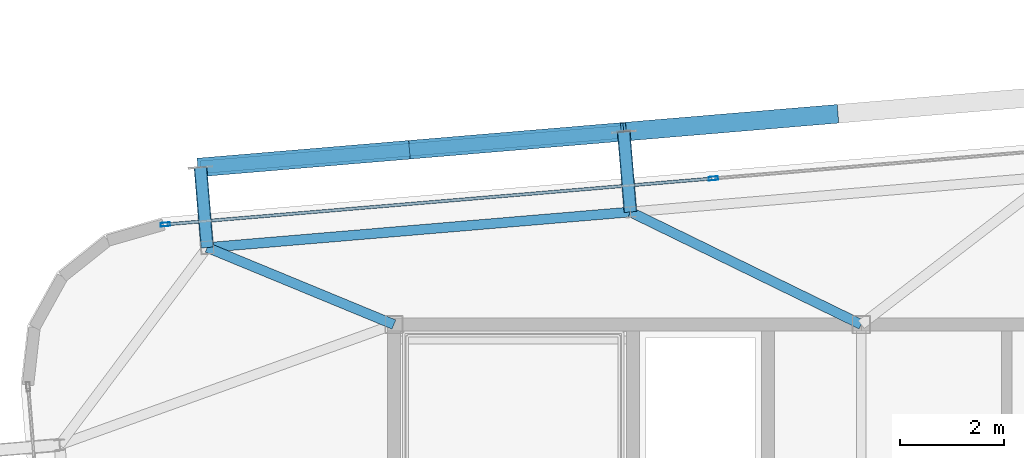
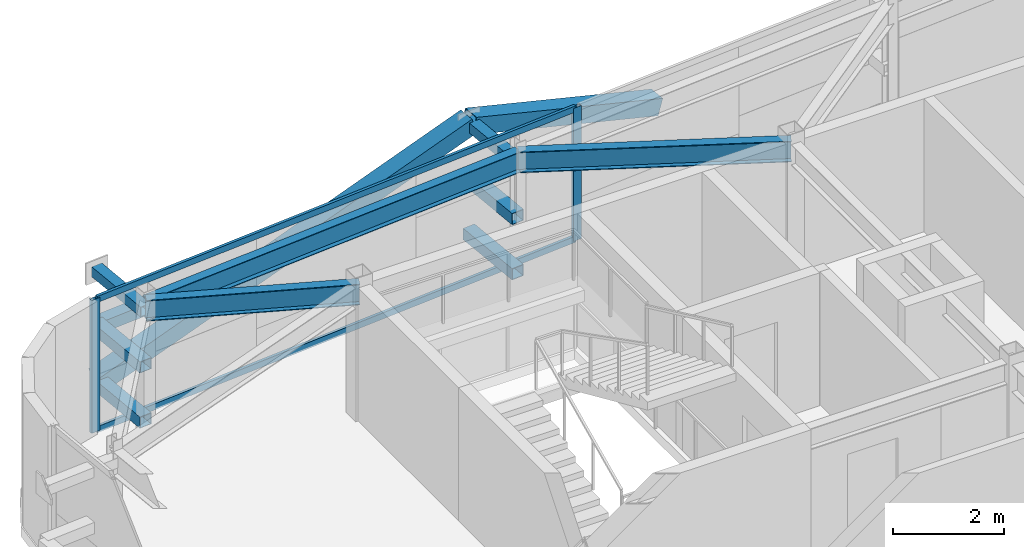
# One storey, part 21 of 37: 14 members, 3 beams, 1 element without a shape of its own.
"""IFC4 building model written with IfcOpenShell, lengths in metres."""

from ifc_helpers import new_model, si_unit, direction, frame, origin, origin_2d, place, context, subcontext, project, spatial, hollow_rectangle, i_section, extrude, source, transform, mapped, material, layer, layer_set, material_profile, profile_set, type_object, element, aggregate, save


model = new_model("IFC4")

# Units and contexts
model_context = context("Model", 3, precision=1e-05, world=origin(), true_north=direction((0.0, 1.0)))
body_context = subcontext(model_context, "Body", "Model", "MODEL_VIEW")
ifc_project = project(units=[si_unit("LENGTHUNIT", "METRE"), si_unit("AREAUNIT", "SQUARE_METRE"), si_unit("VOLUMEUNIT", "CUBIC_METRE"), si_unit("PLANEANGLEUNIT", "RADIAN"), si_unit("MASSUNIT", "GRAM", prefix="KILO")], contexts=[model_context])

# Site, building, storey
site_placement = place(None, origin())
site = spatial("IfcSite", under=ifc_project, at=site_placement, CompositionType="ELEMENT")
building_placement = place(site_placement, origin())
building = spatial("IfcBuilding", under=site, at=building_placement, Name="Taldren Reach Tower", CompositionType="ELEMENT")
storey_placement = place(building_placement, frame((0.0, 0.0, 172.550048828125)))
storey = spatial("IfcBuildingStorey", under=building, at=storey_placement, Name="L52", CompositionType="ELEMENT", Elevation=172.550048828125)

# Members
ifc_material_1 = material(Name="Steel Gr 350 (C350L0)", Category="steel")
ifc_material_profile_1 = material_profile(ifc_material_1, hollow_rectangle(XDim=0.25, YDim=0.25, WallThickness=0.010009765625, at=origin_2d()), Name="250x250x10.0SHS")
ifc_profile_set_1 = profile_set([ifc_material_profile_1], Name="Steel Gr 350 (C350L0)")
member_type_1 = type_object("IfcMemberType", Name="MB-POST250", PredefinedType="POST", material=ifc_profile_set_1)
shared_shape_1 = source(origin(), body_context, "Body", "SweptSolid", [
    extrude(hollow_rectangle(XDim=0.25, YDim=0.25, WallThickness=0.010009765625, at=origin_2d()), origin(), (0.0, 0.0, 1.0), 1.5498046875),
])
for number, where, z_axis, x_axis, name in (
    (1, (15.40380859375, 33.483642578125, 0.219970703125), (-0.083645141657, 0.996495604746, 0.0), (-0.996495604746, -0.083645141657, 0.0), "Exoskeleton base diaphragm tie strut B4-N1 L52"),
    (2, (15.40380859375, 33.483642578125, 1.43505859375), (-0.083645141657, 0.996495604746, 0.0), (-0.996495604746, -0.083645141657, 0.0), "Exoskeleton mid-tier diaphragm tie B4-N1 L52"),
):
    element("IfcMember", number, at=place(storey_placement, frame(where, z_axis=z_axis, x_axis=x_axis)), inside=storey, type_object=member_type_1, Name=name, PredefinedType="POST", context=body_context, shape_type="MappedRepresentation", body=[
        mapped(shared_shape_1, transform((0.0, 0.0, 0.0), scale=1.0)),
    ])
shared_shape_2 = source(origin(), body_context, "Body", "SweptSolid", [
    extrude(hollow_rectangle(XDim=0.25, YDim=0.25, WallThickness=0.010009765625, at=origin_2d()), origin(), (0.0, 0.0, 1.0), 1.550048828125),
])
for number, where, z_axis, x_axis, name in (
    (3, (23.55517578125, 34.16796875, 0.219970703125), (-0.083788408178, 0.996483568683, 0.0), (-0.996483568683, -0.083788408178, 0.0), "Exoskeleton base diaphragm tie strut B4-N2 L52"),
    (4, (23.55517578125, 34.16796875, 1.43505859375), (-0.083788408178, 0.996483568683, 0.0), (-0.996483568683, -0.083788408178, 0.0), "Exoskeleton mid-tier diaphragm tie B4-N2 L52"),
):
    element("IfcMember", number, at=place(storey_placement, frame(where, z_axis=z_axis, x_axis=x_axis)), inside=storey, type_object=member_type_1, Name=name, PredefinedType="POST", context=body_context, shape_type="MappedRepresentation", body=[
        mapped(shared_shape_2, transform((0.0, 0.0, 0.0), scale=1.0)),
    ])

# Beams
ifc_material_2 = material(Name="Steel Gr 350 (350PLUS)", Category="steel")
ifc_material_profile_2 = material_profile(ifc_material_2, i_section(OverallWidth=0.18994140625, OverallDepth=0.4541015625, WebThickness=0.008544921875, FlangeThickness=0.0126953125, at=origin_2d()), Name="460UB67.1")
ifc_profile_set_2 = profile_set([ifc_material_profile_2], Name="Steel Gr 350 (350PLUS)")
beam_type_1 = type_object("IfcBeamType", Name="SP-UB460B", PredefinedType="SPANDREL", material=ifc_profile_set_2)
shared_shape_3 = source(origin(), body_context, "Body", "SweptSolid", [
    extrude(i_section(OverallWidth=0.18994140625, OverallDepth=0.4541015625, WebThickness=0.008544921875, FlangeThickness=0.0126953125, at=origin_2d()), origin(), (0.0, 0.0, 1.0), 8.179931640625),
])
beam_1_placement = place(storey_placement, frame((23.55517578125, 34.16796875, 2.702880859375), z_axis=(-0.996494523218, -0.083658025296, 0.0), x_axis=(0.083658025296, -0.996494523218, 0.0)))
element("IfcBeam", 5, at=beam_1_placement, inside=storey, type_object=beam_type_1, Name="Perimeter spandrel B4 N2-N1 L52", PredefinedType="SPANDREL", context=body_context, shape_type="MappedRepresentation", body=[
    mapped(shared_shape_3, transform((0.0, 0.0, 0.0), scale=1.0)),
])
ifc_material_profile_3 = material_profile(ifc_material_2, i_section(OverallWidth=0.19091796875, OverallDepth=0.4599609375, WebThickness=0.010009765625, FlangeThickness=0.01611328125, at=origin_2d()), Name="460UB82.1")
ifc_profile_set_3 = profile_set([ifc_material_profile_3], Name="Steel Gr 350 (350PLUS)")
beam_type_2 = type_object("IfcBeamType", Name="BM-UB460A", PredefinedType="BEAM", material=ifc_profile_set_3)
shared_shape_4 = source(origin(), body_context, "Body", "SweptSolid", [
    extrude(i_section(OverallWidth=0.19091796875, OverallDepth=0.4599609375, WebThickness=0.010009765625, FlangeThickness=0.01611328125, at=origin_2d()), origin(), (0.0, 0.0, 1.0), 4.9453125),
])
beam_2_placement = place(storey_placement, frame((28.0, 32.0, 2.699951171875), z_axis=(-0.898787423235, 0.438384725823, 0.0), x_axis=(-0.438384725823, -0.898787423235, 0.0)))
element("IfcBeam", 6, at=beam_2_placement, inside=storey, type_object=beam_type_2, Name="Primary floor girder B4-N2 L52", PredefinedType="BEAM", context=body_context, shape_type="MappedRepresentation", body=[
    mapped(shared_shape_4, transform((0.0, 0.0, 0.0), scale=1.0)),
])
shared_shape_5 = source(origin(), body_context, "Body", "SweptSolid", [
    extrude(i_section(OverallWidth=0.19091796875, OverallDepth=0.4599609375, WebThickness=0.010009765625, FlangeThickness=0.01611328125, at=origin_2d()), origin(), (0.0, 0.0, 1.0), 3.89013671875),
])
beam_3_placement = place(storey_placement, frame((19.0, 32.0, 2.699951171875), z_axis=(-0.924419242179, 0.381377850287, 0.0), x_axis=(-0.381377850287, -0.924419242179, 0.0)))
element("IfcBeam", 7, at=beam_3_placement, inside=storey, type_object=beam_type_2, Name="Primary floor girder B4-N1 L52", PredefinedType="BEAM", context=body_context, shape_type="MappedRepresentation", body=[
    mapped(shared_shape_5, transform((0.0, 0.0, 0.0), scale=1.0)),
])

# Members
ifc_material_3 = material(Name="Steel Gr 450 (C450L0)", Category="steel")
ifc_material_profile_4 = material_profile(ifc_material_3, hollow_rectangle(XDim=0.219970703125, YDim=0.219970703125, WallThickness=0.00830078125, at=origin_2d()), Name="220x220x8.2SHS")
ifc_profile_set_4 = profile_set([ifc_material_profile_4], Name="Steel Gr 450 (C450L0)")
member_type_2 = type_object("IfcMemberType", Name="MB-TIE219", PredefinedType="STRUT", material=ifc_profile_set_4)
shared_shape_6 = source(origin(), body_context, "Body", "SweptSolid", [
    extrude(hollow_rectangle(XDim=0.219970703125, YDim=0.219970703125, WallThickness=0.00830078125, at=origin_2d()), origin(), (0.0, 0.0, 1.0), 1.5498046875),
])
member_1_placement = place(storey_placement, frame((15.40380859375, 33.483642578125, 2.64990234375), z_axis=(-0.083645141657, 0.996495604746, 0.0), x_axis=(-0.996495604746, -0.083645141657, 0.0)))
element("IfcMember", 8, at=member_1_placement, inside=storey, type_object=member_type_2, Name="Exoskeleton diaphragm tie strut B4-N1 L52", PredefinedType="STRUT", context=body_context, shape_type="MappedRepresentation", body=[
    mapped(shared_shape_6, transform((0.0, 0.0, 0.0), scale=1.0)),
])
shared_shape_7 = source(origin(), body_context, "Body", "SweptSolid", [
    extrude(hollow_rectangle(XDim=0.219970703125, YDim=0.219970703125, WallThickness=0.00830078125, at=origin_2d()), origin(), (0.0, 0.0, 1.0), 1.550048828125),
])
member_2_placement = place(storey_placement, frame((23.55517578125, 34.16796875, 2.64990234375), z_axis=(-0.083788408178, 0.996483568683, 0.0), x_axis=(-0.996483568683, -0.083788408178, 0.0)))
element("IfcMember", 9, at=member_2_placement, inside=storey, type_object=member_type_2, Name="Exoskeleton diaphragm tie strut B4-N2 L52", PredefinedType="STRUT", context=body_context, shape_type="MappedRepresentation", body=[
    mapped(shared_shape_7, transform((0.0, 0.0, 0.0), scale=1.0)),
])
shared_shape_8 = source(origin(), body_context, "Body", "SweptSolid", [
    extrude(hollow_rectangle(XDim=0.25, YDim=0.25, WallThickness=0.010009765625, at=origin_2d()), origin(), (0.0, 0.0, 1.0), 8.179931640625),
])
member_3_placement = place(storey_placement, frame((15.274169921875, 35.028076171875, 1.43505859375), z_axis=(0.99649182565, 0.08369015123, 0.0), x_axis=(-0.08369015123, 0.99649182565, 0.0)))
element("IfcMember", 10, at=member_3_placement, inside=storey, type_object=member_type_1, Name="Exoskeleton mid-height ring chord B4-N1 L52", PredefinedType="POST", context=body_context, shape_type="MappedRepresentation", body=[
    mapped(shared_shape_8, transform((0.0, 0.0, 0.0), scale=1.0)),
])
ifc_material_profile_5 = material_profile(ifc_material_3, hollow_rectangle(XDim=0.360107421875, YDim=0.360107421875, WallThickness=0.0126953125, at=origin_2d()), Name="360x360x12.7SHS")
ifc_profile_set_5 = profile_set([ifc_material_profile_5], Name="Steel Gr 450 (C450L0)")
member_type_3 = type_object("IfcMemberType", Name="MB-EXO356", PredefinedType="BRACE", material=ifc_profile_set_5)
shared_shape_9 = source(origin(), body_context, "Body", "SweptSolid", [
    extrude(hollow_rectangle(XDim=0.360107421875, YDim=0.360107421875, WallThickness=0.0126953125, at=origin_2d()), origin(), (0.0, 0.0, 1.0), 4.2666015625),
])
for number, where, z_axis, x_axis, name in (
    (11, (15.274169921875, 35.028076171875, 0.219970703125), (0.955229159097, 0.080222312271, 0.284783486572), (-0.083687662192, 0.996492034688, 0.0), "Exoskeleton Diagrid Brace B4-N1 L52"),
    (12, (27.5009765625, 36.054931640625, 1.43505859375), (-0.955244723646, -0.080223619417, 0.284730906006), (0.083687662192, -0.996492034688, 0.0), "Exoskeleton Diagrid Brace B4-N2 L52"),
):
    element("IfcMember", number, at=place(storey_placement, frame(where, z_axis=z_axis, x_axis=x_axis)), inside=storey, type_object=member_type_3, Name=name, PredefinedType="BRACE", context=body_context, shape_type="MappedRepresentation", body=[
        mapped(shared_shape_9, transform((0.0, 0.0, 0.0), scale=1.0)),
    ])
shared_shape_10 = source(origin(), body_context, "Body", "SweptSolid", [
    extrude(hollow_rectangle(XDim=0.360107421875, YDim=0.360107421875, WallThickness=0.0126953125, at=origin_2d()), origin(), (0.0, 0.0, 1.0), 4.266357421875),
])
member_4_placement = place(storey_placement, frame((19.349853515625, 35.370361328125, 1.43505859375), z_axis=(0.955239715981, 0.080228004661, 0.28474647018), x_axis=(-0.083692640416, 0.996491616593, 0.0)))
element("IfcMember", 13, at=member_4_placement, inside=storey, type_object=member_type_3, Name="Exoskeleton Diagrid Brace B4-N1 L52", PredefinedType="BRACE", context=body_context, shape_type="MappedRepresentation", body=[
    mapped(shared_shape_10, transform((0.0, 0.0, 0.0), scale=1.0)),
])

# Curtain wall, members
ifc_material_4 = material(Name="Aluminium and Low-E Glass Unitised System", Category="aluminium")
ifc_layer = layer(ifc_material_4, 0.159912109375)
ifc_layer_set = layer_set([ifc_layer], Name="Aluminium and Low-E Glass Unitised System")
curtain_wall_type = type_object("IfcCurtainWallType", Name="CW-SYS-5", PredefinedType="NOTDEFINED", material=ifc_layer_set)
curtain_wall_placement = place(storey_placement, origin())
curtain_wall = element("IfcCurtainWall", 14, at=curtain_wall_placement, inside=storey, type_object=curtain_wall_type, Name="Unitised curtain wall CW-L52-N", PredefinedType="NOTDEFINED")
ifc_material_5 = material(Name="Anodised Aluminium 6063-T6", Category="aluminium")
ifc_material_profile_6 = material_profile(ifc_material_5, hollow_rectangle(XDim=0.070068359375, YDim=0.179931640625, WallThickness=0.00390625, at=origin_2d()), Name="ALU-180x70x4RHS")
ifc_profile_set_6 = profile_set([ifc_material_profile_6], Name="Anodised Aluminium 6063-T6")
member_type_4 = type_object("IfcMemberType", Name="CW-MUL-180", PredefinedType="MULLION", material=ifc_profile_set_6)
shared_shape_11 = source(origin(), body_context, "Body", "SweptSolid", [
    extrude(hollow_rectangle(XDim=0.070068359375, YDim=0.179931640625, WallThickness=0.00390625, at=origin_2d()), origin(), (0.0, 0.0, 1.0), 2.929931640625),
])
member_5_placement = place(storey_placement, frame((25.151611328125, 34.81396484375, 0.0), z_axis=(0.0, 0.0, 1.0), x_axis=(0.083677875247, -0.99649285657, 0.0)))
member_5 = element("IfcMember", 15, at=member_5_placement, type_object=member_type_4, Name="CW-5 mullion 4", PredefinedType="MULLION", context=body_context, shape_type="MappedRepresentation", body=[
    mapped(shared_shape_11, transform((0.0, 0.0, 0.0), scale=1.0)),
])
member_6_placement = place(storey_placement, frame((14.598876953125, 33.927734375, 0.0), z_axis=(0.0, 0.0, 1.0), x_axis=(0.083677875247, -0.99649285657, 0.0)))
member_6 = element("IfcMember", 16, at=member_6_placement, type_object=member_type_4, Name="CW-5 mullion 5", PredefinedType="MULLION", context=body_context, shape_type="MappedRepresentation", body=[
    mapped(shared_shape_11, transform((0.0, 0.0, 0.0), scale=1.0)),
])
ifc_material_profile_7 = material_profile(ifc_material_5, hollow_rectangle(XDim=0.06005859375, YDim=0.135009765625, WallThickness=0.00341796875, at=origin_2d()), Name="ALU-135x60x3.5RHS")
ifc_profile_set_7 = profile_set([ifc_material_profile_7], Name="Anodised Aluminium 6063-T6")
member_type_5 = type_object("IfcMemberType", Name="CW-TRN-150", PredefinedType="USERDEFINED", material=ifc_profile_set_7)
shared_shape_12 = source(origin(), body_context, "Body", "SweptSolid", [
    extrude(hollow_rectangle(XDim=0.06005859375, YDim=0.135009765625, WallThickness=0.00341796875, at=origin_2d()), origin(), (0.0, 0.0, 1.0), 10.519775390625),
])
member_7_placement = place(storey_placement, frame((25.11669921875, 34.81103515625, 0.030029296875), z_axis=(-0.996492094046, -0.083686955404, 0.0), x_axis=(0.083686955404, -0.996492094046, 0.0)))
member_7 = element("IfcMember", 17, at=member_7_placement, type_object=member_type_5, Name="CW-5 transom 4.1", ObjectType="TRANSOM", PredefinedType="USERDEFINED", context=body_context, shape_type="MappedRepresentation", body=[
    mapped(shared_shape_12, transform((0.0, 0.0, 0.0), scale=1.0)),
])
member_8_placement = place(storey_placement, frame((25.11669921875, 34.81103515625, 2.89990234375), z_axis=(-0.996492094046, -0.083686955404, 0.0), x_axis=(0.083686955404, -0.996492094046, 0.0)))
member_8 = element("IfcMember", 18, at=member_8_placement, type_object=member_type_5, Name="CW-5 transom 4.2", ObjectType="TRANSOM", PredefinedType="USERDEFINED", context=body_context, shape_type="MappedRepresentation", body=[
    mapped(shared_shape_12, transform((0.0, 0.0, 0.0), scale=1.0)),
])
aggregate(curtain_wall, [member_5, member_6, member_7, member_8])

save(model, "model.ifc")
